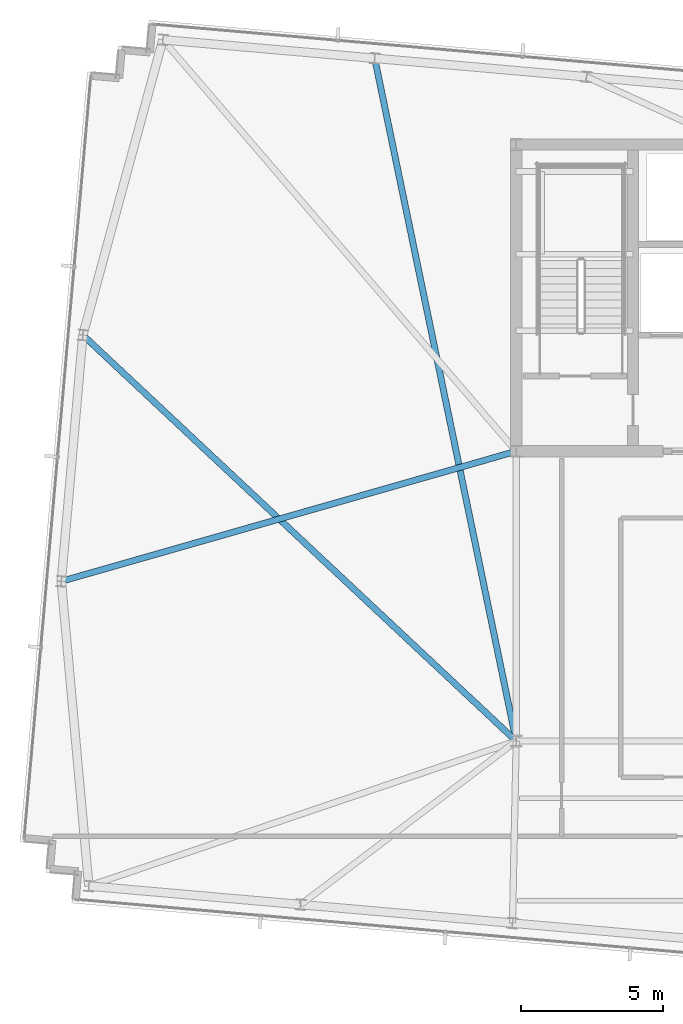
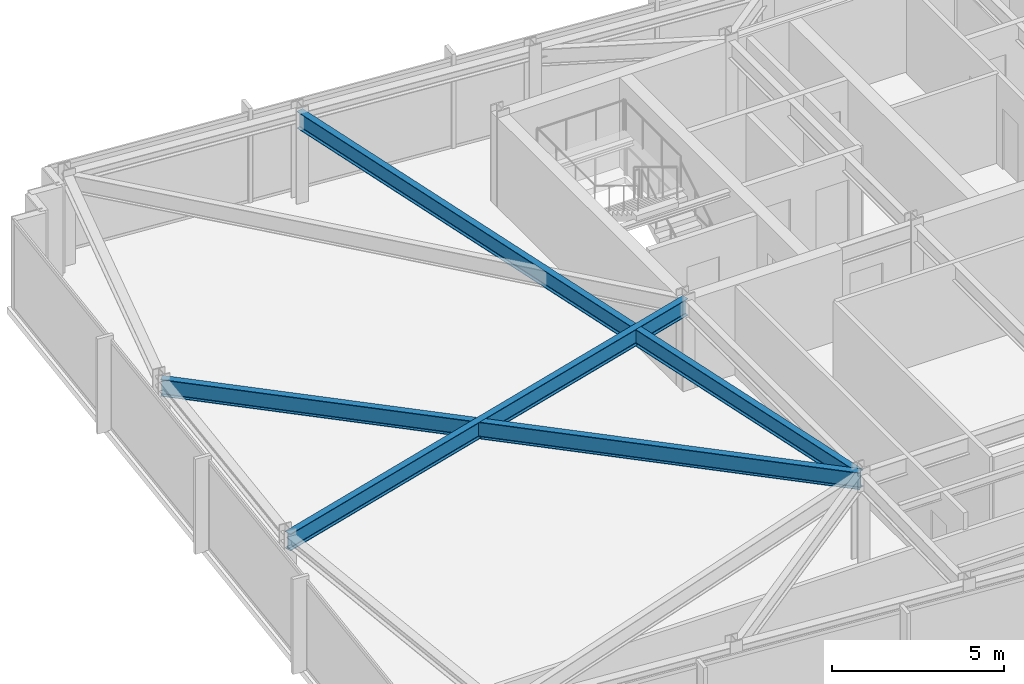
# One storey, part 10 of 32: 3 beams.
"""IFC4 building model written with IfcOpenShell, lengths in metres."""

from ifc_helpers import new_model, si_unit, direction, frame, origin, origin_2d, place, context, subcontext, project, spatial, i_section, extrude, material, material_profile, profile_set, type_object, element, save


model = new_model("IFC4")

# Units and contexts
model_context = context("Model", 3, precision=1e-05, world=origin(), true_north=direction((0.0, 1.0)))
body_context = subcontext(model_context, "Body", "Model", "MODEL_VIEW")
ifc_project = project(units=[si_unit("LENGTHUNIT", "METRE"), si_unit("AREAUNIT", "SQUARE_METRE"), si_unit("VOLUMEUNIT", "CUBIC_METRE"), si_unit("PLANEANGLEUNIT", "RADIAN"), si_unit("MASSUNIT", "GRAM", prefix="KILO")], contexts=[model_context])

# Site, building, storey
site_placement = place(None, origin())
site = spatial("IfcSite", under=ifc_project, at=site_placement, CompositionType="ELEMENT")
building_placement = place(site_placement, origin())
building = spatial("IfcBuilding", under=site, at=building_placement, Name="Yelkora Congress Tower", CompositionType="ELEMENT")
storey_placement = place(building_placement, frame((0.0, 0.0, 279.5)))
storey = spatial("IfcBuildingStorey", under=building, at=storey_placement, Name="L78", CompositionType="ELEMENT", Elevation=279.5)

# Beams
ifc_material = material(Name="Steel S355J2", Category="steel")
ifc_material_profile = material_profile(ifc_material, i_section(OverallWidth=0.219970703125, OverallDepth=0.60009765625, WebThickness=0.011962890625, FlangeThickness=0.01904296875, FilletRadius=0.02392578125, at=origin_2d()), Name="IPE 600")
ifc_profile_set = profile_set([ifc_material_profile], Name="Steel S355J2")
beam_type = type_object("IfcBeamType", Name="BM-GIRD-IPE600", PredefinedType="BEAM", material=ifc_profile_set)
beam_1_placement = place(storey_placement, frame((18.058837890625, 49.231689453125, 2.8798828125), z_axis=(0.202961834344, -0.979186649112, 0.0), x_axis=(0.979186649112, 0.202961834344, 0.0)))
element("IfcBeam", 1, at=beam_1_placement, inside=storey, type_object=beam_type, Name="L78 Primary Frame Girder N02", PredefinedType="BEAM", context=body_context, shape_type="SweptSolid", body=[
    extrude(i_section(OverallWidth=0.219970703125, OverallDepth=0.60009765625, WebThickness=0.011962890625, FlangeThickness=0.01904296875, FilletRadius=0.02392578125, at=origin_2d()), origin(), (0.0, 0.0, 1.0), 24.54248046875),
])
beam_2_placement = place(storey_placement, frame((7.029052734375, 30.822998046875, 2.8798828125), z_axis=(0.961486871307, 0.274850861932, 0.0), x_axis=(-0.274850861932, 0.961486871307, 0.0)))
element("IfcBeam", 2, at=beam_2_placement, inside=storey, type_object=beam_type, Name="L78 Primary Frame Girder W01", PredefinedType="BEAM", context=body_context, shape_type="SweptSolid", body=[
    extrude(i_section(OverallWidth=0.219970703125, OverallDepth=0.60009765625, WebThickness=0.011962890625, FlangeThickness=0.01904296875, FilletRadius=0.02392578125, at=origin_2d()), origin(), (0.0, 0.0, 1.0), 16.65234375),
])
beam_3_placement = place(storey_placement, frame((7.787353515625, 39.489990234375, 2.8798828125), z_axis=(0.729760461145, -0.683702910152, 0.0), x_axis=(0.683702910152, 0.729760461145, 0.0)))
element("IfcBeam", 3, at=beam_3_placement, inside=storey, type_object=beam_type, Name="L78 Primary Frame Girder W02", PredefinedType="BEAM", context=body_context, shape_type="SweptSolid", body=[
    extrude(i_section(OverallWidth=0.219970703125, OverallDepth=0.60009765625, WebThickness=0.011962890625, FlangeThickness=0.01904296875, FilletRadius=0.02392578125, at=origin_2d()), origin(), (0.0, 0.0, 1.0), 20.90087890625),
])

save(model, "model.ifc")
